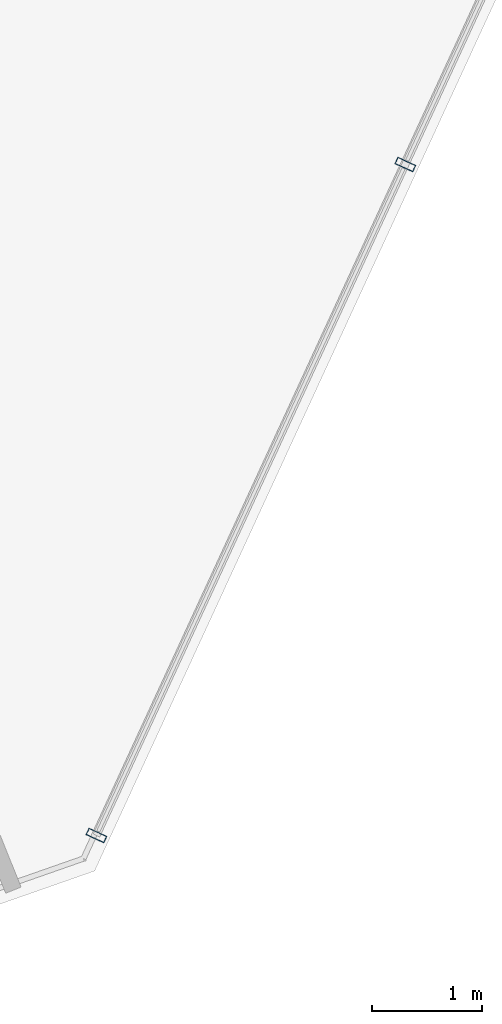
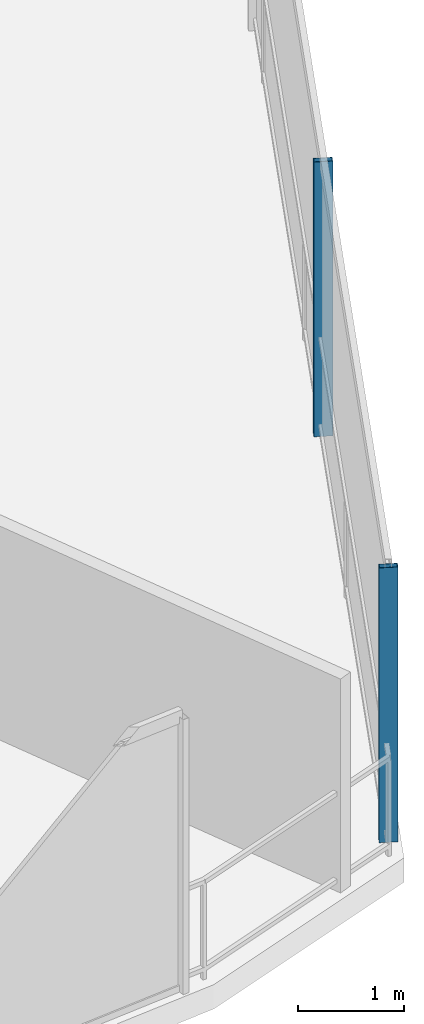
# One storey, part 9 of 30: 2 members, 1 element without a shape of its own.
"""IFC4 building model written with IfcOpenShell, lengths in metres."""

from ifc_helpers import new_model, si_unit, direction, frame, origin, origin_2d, place, context, subcontext, project, spatial, hollow_rectangle, extrude, material, layer, layer_set, material_profile, profile_set, type_object, element, aggregate, save


model = new_model("IFC4")

# Units and contexts
model_context = context("Model", 3, precision=1e-05, world=origin(), true_north=direction((0.0, 1.0)))
body_context = subcontext(model_context, "Body", "Model", "MODEL_VIEW")
ifc_project = project(units=[si_unit("LENGTHUNIT", "METRE"), si_unit("AREAUNIT", "SQUARE_METRE"), si_unit("VOLUMEUNIT", "CUBIC_METRE"), si_unit("PLANEANGLEUNIT", "RADIAN"), si_unit("MASSUNIT", "GRAM", prefix="KILO")], contexts=[model_context])

# Site, building, storey
site_placement = place(None, origin())
site = spatial("IfcSite", under=ifc_project, at=site_placement, CompositionType="ELEMENT")
building_placement = place(site_placement, origin())
building = spatial("IfcBuilding", under=site, at=building_placement, Name="Qarnah Convention Tower", CompositionType="ELEMENT")
storey_placement = place(building_placement, frame((0.0, 0.0, 86.699951171875)))
storey = spatial("IfcBuildingStorey", under=building, at=storey_placement, Name="L22", CompositionType="ELEMENT", Elevation=86.699951171875)

# Curtain wall, members
ifc_material_1 = material(Name="Tempered Low-E dark glass", Category="glass")
ifc_layer = layer(ifc_material_1, 0.169921875)
ifc_layer_set = layer_set([ifc_layer], Name="Tempered Low-E dark glass")
curtain_wall_type = type_object("IfcCurtainWallType", Name="CWS-02", PredefinedType="NOTDEFINED", material=ifc_layer_set)
curtain_wall_placement = place(storey_placement, origin())
curtain_wall = element("IfcCurtainWall", 1, at=curtain_wall_placement, inside=storey, type_object=curtain_wall_type, Name="L22 unitised curtain wall CW-L22-F3", PredefinedType="NOTDEFINED")
ifc_material_2 = material(Name="Black anodised aluminium", Category="aluminium")
ifc_material_profile = material_profile(ifc_material_2, hollow_rectangle(XDim=0.06494140625, YDim=0.179931640625, WallThickness=0.00390625, at=origin_2d()), Name="MUL-65X180")
ifc_profile_set = profile_set([ifc_material_profile], Name="Black anodised aluminium")
member_type = type_object("IfcMemberType", Name="MUL-T2", PredefinedType="MULLION", material=ifc_profile_set)
member_1_placement = place(storey_placement, frame((50.303466796875, 9.34765625, 0.0), z_axis=(0.0, 0.0, 1.0), x_axis=(-0.418223177755, -0.908344303438, 0.0)))
member_1 = element("IfcMember", 2, at=member_1_placement, type_object=member_type, Name="CW-L22-F3 mullion 5", PredefinedType="MULLION", context=body_context, shape_type="SweptSolid", body=[
    extrude(hollow_rectangle(XDim=0.06494140625, YDim=0.179931640625, WallThickness=0.00390625, at=origin_2d()), origin(), (0.0, 0.0, 1.0), 3.170166015625),
])
member_2_placement = place(storey_placement, frame((47.4951171875, 3.248046875, 0.0), z_axis=(0.0, 0.0, 1.0), x_axis=(-0.418223177755, -0.908344303438, 0.0)))
member_2 = element("IfcMember", 3, at=member_2_placement, type_object=member_type, Name="CW-L22-F3 mullion 6", PredefinedType="MULLION", context=body_context, shape_type="SweptSolid", body=[
    extrude(hollow_rectangle(XDim=0.06494140625, YDim=0.179931640625, WallThickness=0.00390625, at=origin_2d()), origin(), (0.0, 0.0, 1.0), 3.170166015625),
])
aggregate(curtain_wall, [member_1, member_2])

save(model, "model.ifc")
